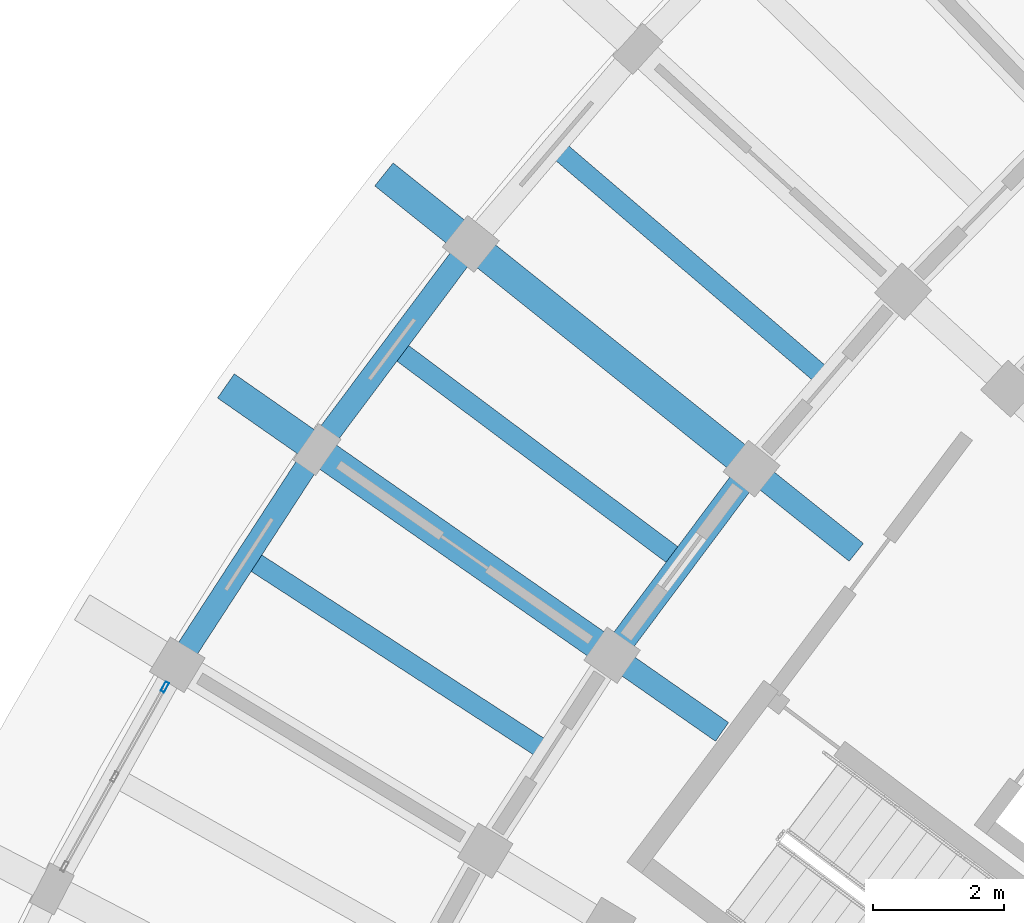
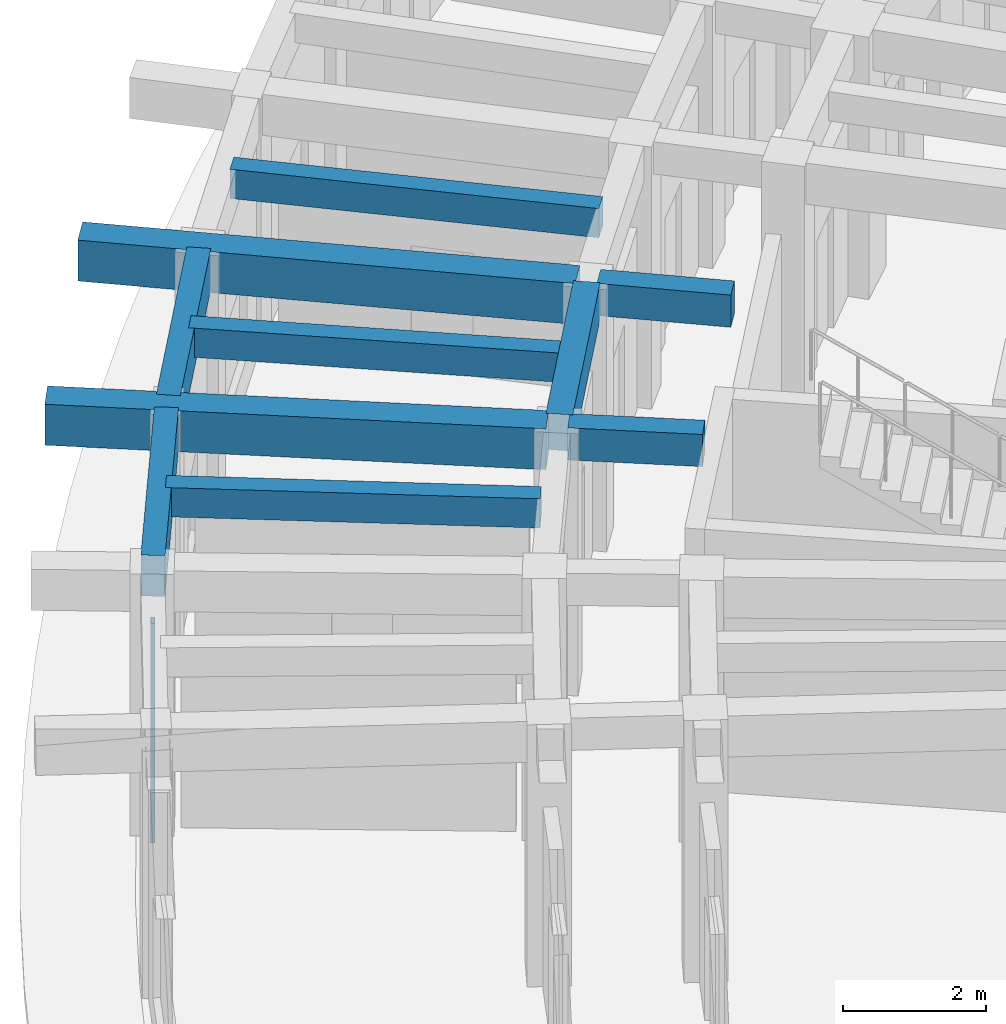
# One storey, part 37 of 132: 10 beams, 1 member, 1 element without a shape of its own.
"""IFC4 building model written with IfcOpenShell, lengths in metres."""

from ifc_helpers import new_model, si_unit, direction, frame, origin, origin_2d, place, context, subcontext, project, spatial, rectangle, hollow_rectangle, extrude, material, material_profile, profile_set, type_object, element, aggregate, save


model = new_model("IFC4")

# Units and contexts
model_context = context("Model", 3, precision=1e-05, world=origin(), true_north=direction((0.0, 1.0)))
body_context = subcontext(model_context, "Body", "Model", "MODEL_VIEW")
ifc_project = project(units=[si_unit("LENGTHUNIT", "METRE"), si_unit("AREAUNIT", "SQUARE_METRE"), si_unit("VOLUMEUNIT", "CUBIC_METRE"), si_unit("PLANEANGLEUNIT", "RADIAN"), si_unit("MASSUNIT", "GRAM", prefix="KILO")], contexts=[model_context])

# Site, building, storey
site_placement = place(None, origin())
site = spatial("IfcSite", under=ifc_project, at=site_placement, CompositionType="ELEMENT")
building_placement = place(site_placement, origin())
building = spatial("IfcBuilding", under=site, at=building_placement, Name="Tanwirah Colonnade Gardens", CompositionType="ELEMENT")
storey_placement = place(building_placement, origin())
storey = spatial("IfcBuildingStorey", under=building, at=storey_placement, Name="L00", CompositionType="ELEMENT", Elevation=0.0)

# Beams
ifc_material_1 = material(Name="Precast concrete C40/50", Category="concrete")
ifc_material_profile_1 = material_profile(ifc_material_1, rectangle(XDim=0.35009765625, YDim=0.550048828125, at=origin_2d()), Name="PC-BM 350x550")
ifc_profile_set_1 = profile_set([ifc_material_profile_1], Name="Precast concrete C40/50")
beam_type_1 = type_object("IfcBeamType", Name="BM-PC350A", PredefinedType="BEAM", material=ifc_profile_set_1)
for number, where, z_axis, x_axis, name in (
    (1, (24.398681640625, 92.68896484375, 4.2099609375), (-0.78073089418, 0.624867402633, 0.0), (-0.624867402633, -0.78073089418, 0.0), "Block A L00 Corridor Tie Beam 12"),
    (2, (22.346435546875, 89.943359375, 4.2099609375), (-0.820305001782, 0.571926309983, 0.0), (-0.571926309983, -0.820305001782, 0.0), "Block A L00 Corridor Tie Beam 13"),
):
    element("IfcBeam", number, at=place(storey_placement, frame(where, z_axis=z_axis, x_axis=x_axis)), inside=storey, type_object=beam_type_1, Name=name, PredefinedType="BEAM", context=body_context, shape_type="SweptSolid", body=[
        extrude(rectangle(XDim=0.35009765625, YDim=0.550048828125, at=origin_2d()), origin(), (0.0, 0.0, 1.0), 1.89990234375),
    ])
ifc_material_profile_2 = material_profile(ifc_material_1, rectangle(XDim=0.3798828125, YDim=0.6201171875, at=origin_2d()), Name="PC-BM 380x620")
ifc_profile_set_2 = profile_set([ifc_material_profile_2], Name="Precast concrete C40/50")
beam_type_2 = type_object("IfcBeamType", Name="BM-PC380", PredefinedType="BEAM", material=ifc_profile_set_2)
beam_1_placement = place(storey_placement, frame((22.708251953125, 93.849609375, 4.175048828125), z_axis=(-0.59871829396, -0.800959677186, 0.0), x_axis=(0.800959677186, -0.59871829396, 0.0)))
element("IfcBeam", 3, at=beam_1_placement, inside=storey, type_object=beam_type_2, Name="Block A L00 Circumferential Beam 12-R2", PredefinedType="BEAM", context=body_context, shape_type="SweptSolid", body=[
    extrude(rectangle(XDim=0.3798828125, YDim=0.6201171875, at=origin_2d()), origin(), (0.0, 0.0, 1.0), 3.262939453125),
])
ifc_material_2 = material(Name="Precast concrete C45/55", Category="concrete")
ifc_material_profile_3 = material_profile(ifc_material_2, rectangle(XDim=0.449951171875, YDim=0.699951171875, at=origin_2d()), Name="PC-BM 450x700")
ifc_profile_set_3 = profile_set([ifc_material_profile_3], Name="Precast concrete C45/55")
beam_type_3 = type_object("IfcBeamType", Name="BM-PC450", PredefinedType="BEAM", material=ifc_profile_set_3)
for number, where, z_axis, x_axis, name in (
    (4, (22.680908203125, 94.0634765625, 4.135009765625), (-0.780794476885, 0.624787951921, 0.0), (-0.624787951921, -0.780794476885, 0.0), "Block A L00 Outer Radial Precast Girder 12"),
    (5, (20.541748046875, 91.20166015625, 4.135009765625), (-0.820270158139, 0.571976282433, 0.0), (-0.571976282433, -0.820270158139, 0.0), "Block A L00 Outer Radial Precast Girder 13"),
):
    element("IfcBeam", number, at=place(storey_placement, frame(where, z_axis=z_axis, x_axis=x_axis)), inside=storey, type_object=beam_type_3, Name=name, PredefinedType="BEAM", context=body_context, shape_type="SweptSolid", body=[
        extrude(rectangle(XDim=0.449951171875, YDim=0.699951171875, at=origin_2d()), origin(), (0.0, 0.0, 1.0), 7.050048828125),
    ])

# Curtain wall, member
ifc_material_3 = material(Name="Bronze-anodised aluminium and solar-control low-E glass", Category="aluminium")
curtain_wall_type = type_object("IfcCurtainWallType", Name="CW-LOB", PredefinedType="NOTDEFINED", material=ifc_material_3)
curtain_wall_placement = place(storey_placement, origin())
curtain_wall = element("IfcCurtainWall", 6, at=curtain_wall_placement, inside=storey, type_object=curtain_wall_type, Name="Curtain Wall CW-A-L00-OUT-14", PredefinedType="NOTDEFINED")
ifc_material_4 = material(Name="Bronze-anodised aluminium", Category="aluminium")
ifc_material_profile_4 = material_profile(ifc_material_4, hollow_rectangle(XDim=0.06005859375, YDim=0.159912109375, WallThickness=0.00390625, at=origin_2d()), Name="CW-MUL 60x160x4")
ifc_profile_set_4 = profile_set([ifc_material_profile_4], Name="Bronze-anodised aluminium")
member_type = type_object("IfcMemberType", Name="CWM-60x160", PredefinedType="MULLION", material=ifc_profile_set_4)
member_placement = place(storey_placement, frame((13.824951171875, 90.629150390625, 0.0), z_axis=(0.0, 0.0, 1.0), x_axis=(0.872732421781, -0.488198852899, 0.0)))
member = element("IfcMember", 7, at=member_placement, type_object=member_type, Name="CW-LOB mullion 1", PredefinedType="MULLION", context=body_context, shape_type="SweptSolid", body=[
    extrude(hollow_rectangle(XDim=0.06005859375, YDim=0.159912109375, WallThickness=0.00390625, at=origin_2d()), origin(), (0.0, 0.0, 1.0), 3.7548828125),
])
aggregate(curtain_wall, [member])

# Beams
ifc_material_profile_5 = material_profile(ifc_material_1, rectangle(XDim=0.300048828125, YDim=0.5, at=origin_2d()), Name="PC-JST 300x500")
ifc_profile_set_5 = profile_set([ifc_material_profile_5], Name="Precast concrete C40/50")
beam_type_4 = type_object("IfcBeamType", Name="JST-PC300", PredefinedType="JOIST", material=ifc_profile_set_5)
beam_2_placement = place(storey_placement, frame((23.843017578125, 95.42041015625, 4.235107421875), z_axis=(-0.759770723643, 0.65019108537, 0.0), x_axis=(-0.65019108537, -0.759770723643, 0.0)))
element("IfcBeam", 8, at=beam_2_placement, inside=storey, type_object=beam_type_4, Name="Block A L00 Precast Floor Joist 11", PredefinedType="JOIST", context=body_context, shape_type="SweptSolid", body=[
    extrude(rectangle(XDim=0.300048828125, YDim=0.5, at=origin_2d()), origin(), (0.0, 0.0, 1.0), 5.26025390625),
])
beam_3_placement = place(storey_placement, frame((21.61181640625, 92.63232421875, 4.235107421875), z_axis=(-0.800973647215, 0.598699604533, 0.0), x_axis=(-0.598699604533, -0.800973647215, 0.0)))
element("IfcBeam", 9, at=beam_3_placement, inside=storey, type_object=beam_type_4, Name="Block A L00 Precast Floor Joist 12", PredefinedType="JOIST", context=body_context, shape_type="SweptSolid", body=[
    extrude(rectangle(XDim=0.300048828125, YDim=0.5, at=origin_2d()), origin(), (0.0, 0.0, 1.0), 5.260009765625),
])
beam_4_placement = place(storey_placement, frame((19.5693359375, 89.703125, 4.235107421875), z_axis=(-0.83868742622, 0.544613074669, 0.0), x_axis=(-0.544613074669, -0.83868742622, 0.0)))
element("IfcBeam", 10, at=beam_4_placement, inside=storey, type_object=beam_type_4, Name="Block A L00 Precast Floor Joist 13", PredefinedType="JOIST", context=body_context, shape_type="SweptSolid", body=[
    extrude(rectangle(XDim=0.300048828125, YDim=0.5, at=origin_2d()), origin(), (0.0, 0.0, 1.0), 5.26025390625),
])
ifc_material_profile_6 = material_profile(ifc_material_2, rectangle(XDim=0.340087890625, YDim=0.699951171875, at=origin_2d()), Name="PC-SP 340x700")
ifc_profile_set_6 = profile_set([ifc_material_profile_6], Name="Precast concrete C45/55")
beam_type_5 = type_object("IfcBeamType", Name="SP-PC340", PredefinedType="SPANDREL", material=ifc_profile_set_6)
for number, where, z_axis, x_axis, name in (
    (11, (18.413818359375, 97.285888671875, 4.135009765625), (-0.598695554058, -0.800976674786, 0.0), (0.800976674786, -0.598695554058, 0.0), "Block A L00 Circumferential Beam 12-R3"),
    (12, (16.071533203125, 94.135986328125, 4.135009765625), (-0.544621436184, -0.838681996497, 0.0), (0.838681996497, -0.544621436184, 0.0), "Block A L00 Circumferential Beam 13-R3"),
):
    element("IfcBeam", number, at=place(storey_placement, frame(where, z_axis=z_axis, x_axis=x_axis)), inside=storey, type_object=beam_type_5, Name=name, PredefinedType="SPANDREL", context=body_context, shape_type="SweptSolid", body=[
        extrude(rectangle(XDim=0.340087890625, YDim=0.699951171875, at=origin_2d()), origin(), (0.0, 0.0, 1.0), 3.625732421875),
    ])

save(model, "model.ifc")
